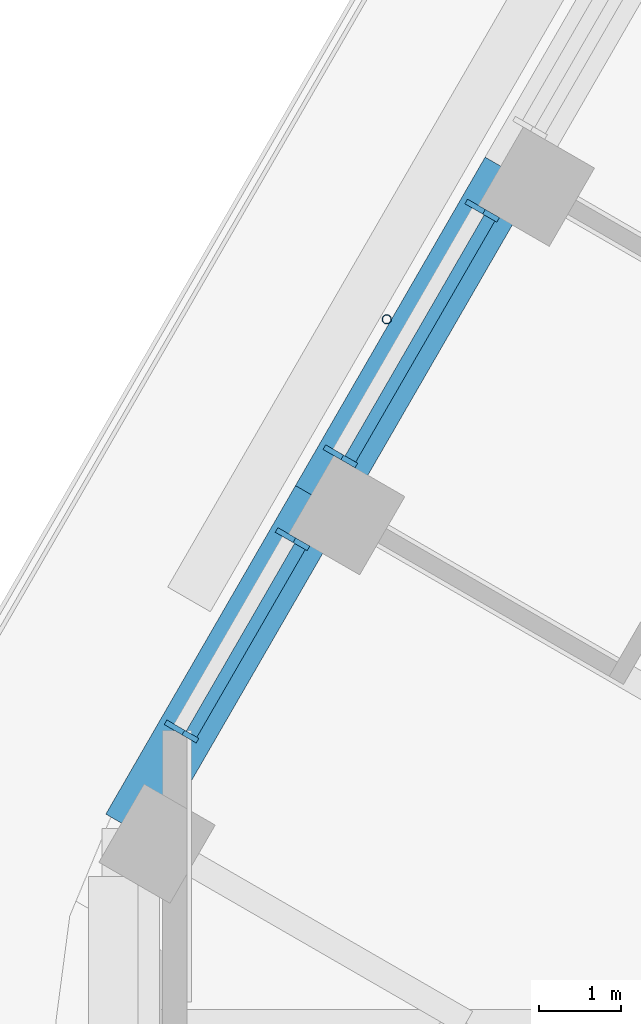
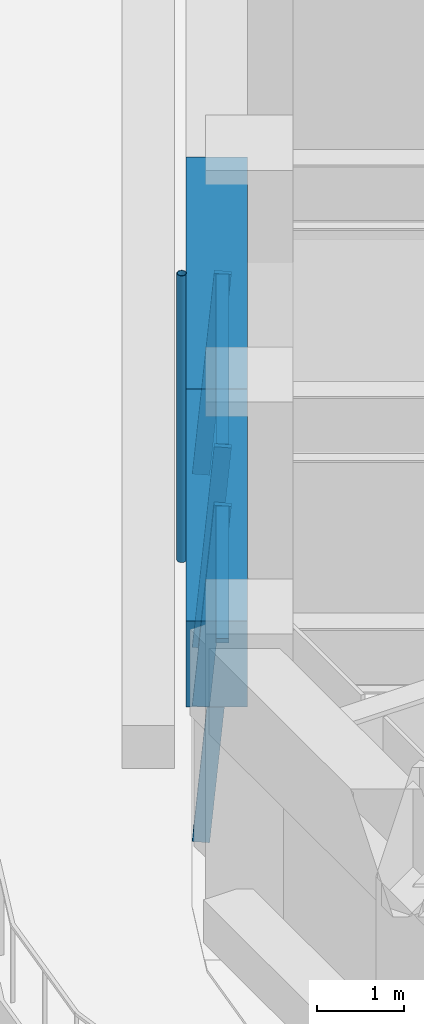
# One storey, part 6 of 20: 7 members, 2 beams, 2 elements without a shape of their own.
"""IFC4 building model written with IfcOpenShell, lengths in metres."""

from ifc_helpers import new_model, si_unit, direction, frame, origin, origin_2d, place, context, subcontext, project, spatial, rectangle, hollow_circle, extrude, material, material_profile, profile_set, type_object, element, aggregate, save


model = new_model("IFC4")

# Units and contexts
model_context = context("Model", 3, precision=1e-05, world=origin(), true_north=direction((0.0, 1.0)))
body_context = subcontext(model_context, "Body", "Model", "MODEL_VIEW")
ifc_project = project(units=[si_unit("LENGTHUNIT", "METRE"), si_unit("AREAUNIT", "SQUARE_METRE"), si_unit("VOLUMEUNIT", "CUBIC_METRE"), si_unit("PLANEANGLEUNIT", "RADIAN"), si_unit("MASSUNIT", "GRAM", prefix="KILO")], contexts=[model_context])

# Site, building, storey
site_placement = place(None, origin())
site = spatial("IfcSite", under=ifc_project, at=site_placement, CompositionType="ELEMENT")
building_placement = place(site_placement, origin())
building = spatial("IfcBuilding", under=site, at=building_placement, Name="Tarfa Lantern Tower", CompositionType="ELEMENT")
storey_placement = place(building_placement, frame((0.0, 0.0, 286.89990234375)))
storey = spatial("IfcBuildingStorey", under=building, at=storey_placement, Name="L65", CompositionType="ELEMENT", Elevation=286.89990234375)

# Curtain wall, members
ifc_material_1 = material(Name="Aluminium framed curtain wall", Category="aluminium")
curtain_wall_type = type_object("IfcCurtainWallType", Name="CW3 CANTED GLAZING HIGH ZONE 2800", PredefinedType="USERDEFINED", material=ifc_material_1)
curtain_wall_1_placement = place(storey_placement, origin())
curtain_wall_1 = element("IfcCurtainWall", 1, at=curtain_wall_1_placement, inside=storey, type_object=curtain_wall_type, Name="CW3 NW L65", ObjectType="CURTAIN WALL", PredefinedType="USERDEFINED")
ifc_material_2 = material(Name="Aluminium mullion", Category="aluminium")
ifc_material_profile_1 = material_profile(ifc_material_2, rectangle(XDim=0.06494140625, YDim=0.199951171875, at=origin_2d()), Name="AL MULLION 65x200")
ifc_profile_set_1 = profile_set([ifc_material_profile_1], Name="Aluminium mullion")
member_type_1 = type_object("IfcMemberType", Name="CWM1 MULLION 65x200", PredefinedType="MULLION", material=ifc_profile_set_1)
member_1_placement = place(storey_placement, frame((-27.62890625, 9.945556640625, 0.0), z_axis=(0.077032386753, -0.044465143199, 0.996036576854), x_axis=(0.499919672301, 0.866071776036, 0.0)))
member_1 = element("IfcMember", 2, at=member_1_placement, type_object=member_type_1, Name="CW3 mullion 1", PredefinedType="MULLION", context=body_context, shape_type="SweptSolid", body=[
    extrude(rectangle(XDim=0.06494140625, YDim=0.199951171875, at=origin_2d()), origin(), (0.0, 0.0, 1.0), 2.811279296875),
])
member_2_placement = place(storey_placement, frame((-29.355712890625, 6.954345703125, 0.0), z_axis=(0.077032386753, -0.044465143199, 0.996036576854), x_axis=(0.499919672301, 0.866071776036, 0.0)))
member_2 = element("IfcMember", 3, at=member_2_placement, type_object=member_type_1, Name="CW3 mullion 2", PredefinedType="MULLION", context=body_context, shape_type="SweptSolid", body=[
    extrude(rectangle(XDim=0.06494140625, YDim=0.199951171875, at=origin_2d()), origin(), (0.0, 0.0, 1.0), 2.811279296875),
])

curtain_wall_2_placement = place(storey_placement, origin())
curtain_wall_2 = element("IfcCurtainWall", 4, at=curtain_wall_2_placement, inside=storey, type_object=curtain_wall_type, Name="CW3 NW L65", ObjectType="CURTAIN WALL", PredefinedType="USERDEFINED")
member_3_placement = place(storey_placement, frame((-29.938232421875, 5.945556640625, 0.0), z_axis=(0.077032386753, -0.044465143199, 0.996036576854), x_axis=(0.499919672301, 0.866071776036, 0.0)))
member_3 = element("IfcMember", 5, at=member_3_placement, type_object=member_type_1, Name="CW3 mullion 1", PredefinedType="MULLION", context=body_context, shape_type="SweptSolid", body=[
    extrude(rectangle(XDim=0.06494140625, YDim=0.199951171875, at=origin_2d()), origin(), (0.0, 0.0, 1.0), 2.811279296875),
])
member_4_placement = place(storey_placement, frame((-31.2900390625, 3.60400390625, 0.0), z_axis=(0.077032386753, -0.044465143199, 0.996036576854), x_axis=(0.499919672301, 0.866071776036, 0.0)))
member_4 = element("IfcMember", 6, at=member_4_placement, type_object=member_type_1, Name="CW3 mullion 2", PredefinedType="MULLION", context=body_context, shape_type="SweptSolid", body=[
    extrude(rectangle(XDim=0.06494140625, YDim=0.199951171875, at=origin_2d()), origin(), (0.0, 0.0, 1.0), 2.811279296875),
])

# Member
ifc_material_3 = material(Name="Aluminium transom", Category="aluminium")
ifc_material_profile_2 = material_profile(ifc_material_3, rectangle(XDim=0.14990234375, YDim=0.06494140625, at=origin_2d()), Name="AL TRANSOM 150x65")
ifc_profile_set_2 = profile_set([ifc_material_profile_2], Name="Aluminium transom")
member_type_2 = type_object("IfcMemberType", Name="CWT1 TRANSOM 150x65", PredefinedType="USERDEFINED", material=ifc_profile_set_2)
member_5_placement = place(storey_placement, frame((-27.43115234375, 9.7939453125, 2.767578125), z_axis=(-0.499982299553, -0.866035622901, 0.0), x_axis=(0.866035622901, -0.499982299553, 0.0)))
member_5 = element("IfcMember", 7, at=member_5_placement, type_object=member_type_2, Name="CW3 transom 1.2", ObjectType="TRANSOM", PredefinedType="USERDEFINED", context=body_context, shape_type="SweptSolid", body=[
    extrude(rectangle(XDim=0.14990234375, YDim=0.06494140625, at=origin_2d()), origin(), (0.0, 0.0, 1.0), 3.388671875),
])

aggregate(curtain_wall_1, [member_1, member_2, member_5])

member_6_placement = place(storey_placement, frame((-29.740478515625, 5.7939453125, 2.767578125), z_axis=(-0.499960041298, -0.866048472723, 0.0), x_axis=(0.866048472723, -0.499960041298, 0.0)))
member_6 = element("IfcMember", 8, at=member_6_placement, type_object=member_type_2, Name="CW3 transom 1.2", ObjectType="TRANSOM", PredefinedType="USERDEFINED", context=body_context, shape_type="SweptSolid", body=[
    extrude(rectangle(XDim=0.14990234375, YDim=0.06494140625, at=origin_2d()), origin(), (0.0, 0.0, 1.0), 2.638916015625),
])

aggregate(curtain_wall_2, [member_3, member_4, member_6])

# Beams
ifc_material_4 = material(Name="Concrete C80/95", Category="concrete")
ifc_material_profile_3 = material_profile(ifc_material_4, rectangle(XDim=0.699951171875, YDim=1.199951171875, at=origin_2d()), Name="RC 700x1200")
ifc_profile_set_3 = profile_set([ifc_material_profile_3], Name="Concrete C80/95")
beam_type = type_object("IfcBeamType", Name="EB3 RC 700x1200", PredefinedType="SPANDREL", material=ifc_profile_set_3)
beam_1_placement = place(storey_placement, frame((-27.181640625, 10.360107421875, 3.400146484375), z_axis=(-0.499987836815, -0.866032426089, 0.0), x_axis=(0.866032426089, -0.499987836815, 0.0)))
element("IfcBeam", 9, at=beam_1_placement, inside=storey, type_object=beam_type, Name="Edge beam NW4", PredefinedType="SPANDREL", context=body_context, shape_type="SweptSolid", body=[
    extrude(rectangle(XDim=0.699951171875, YDim=1.199951171875, at=origin_2d()), origin(), (0.0, 0.0, 1.0), 4.61865234375),
])
beam_2_placement = place(storey_placement, frame((-29.490966796875, 6.360107421875, 3.400146484375), z_axis=(-0.500027479704, -0.866009537788, 0.0), x_axis=(0.866009537788, -0.500027479704, 0.0)))
element("IfcBeam", 10, at=beam_2_placement, inside=storey, type_object=beam_type, Name="Edge beam NW5", PredefinedType="SPANDREL", context=body_context, shape_type="SweptSolid", body=[
    extrude(rectangle(XDim=0.699951171875, YDim=1.199951171875, at=origin_2d()), origin(), (0.0, 0.0, 1.0), 4.618896484375),
])

# Member
ifc_material_5 = material(Name="Steel S355", Category="steel")
ifc_material_profile_4 = material_profile(ifc_material_5, hollow_circle(Radius=0.05712890625, WallThickness=0.00634765625, at=origin_2d()), Name="CHS114.3x6.3")
ifc_profile_set_4 = profile_set([ifc_material_profile_4], Name="Steel S355")
member_type_3 = type_object("IfcMemberType", Name="TR1 GREEN WALL TRELLIS CHS114.3x6.3", PredefinedType="USERDEFINED", material=ifc_profile_set_4)
member_7_placement = place(storey_placement, frame((-28.682861328125, 8.56005859375, 0.0), z_axis=(0.0, 0.0, 1.0), x_axis=(1.0, 0.0, 0.0)))
element("IfcMember", 11, at=member_7_placement, inside=storey, type_object=member_type_3, Name="Trellis post NW 2", ObjectType="TRELLIS", PredefinedType="USERDEFINED", context=body_context, shape_type="SweptSolid", body=[
    extrude(hollow_circle(Radius=0.05712890625, WallThickness=0.00634765625, at=origin_2d()), origin(), (0.0, 0.0, 1.0), 4.0),
])

save(model, "model.ifc")
